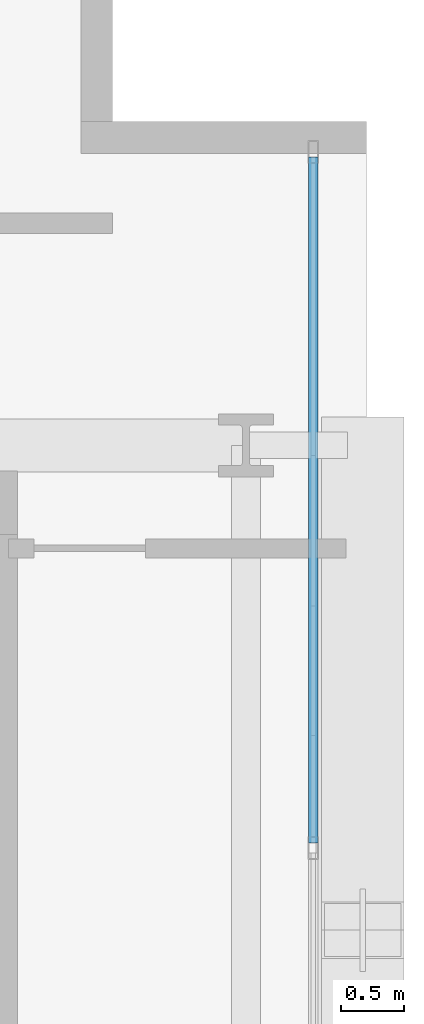
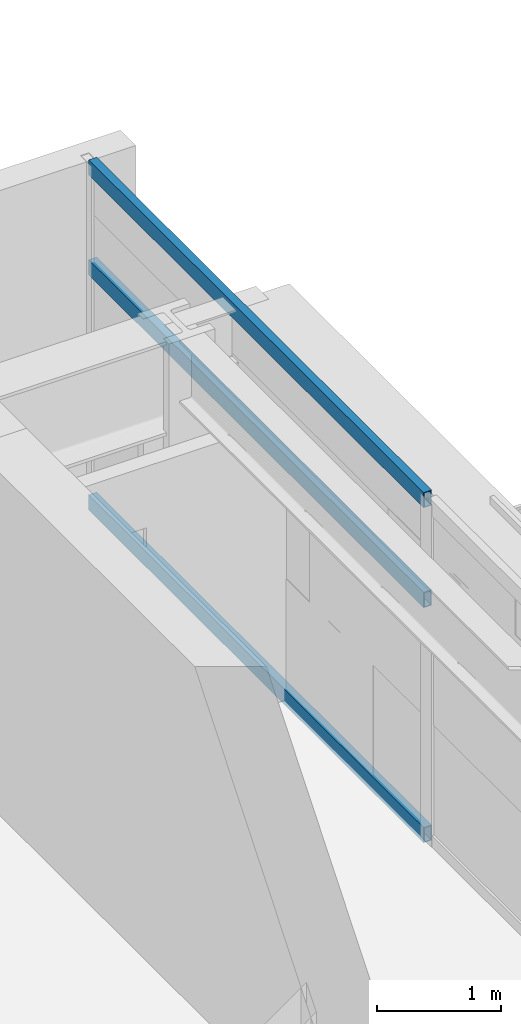
# One storey, part 15 of 30: 3 members, 1 element without a shape of its own.
"""IFC4 building model written with IfcOpenShell, lengths in metres."""

from ifc_helpers import new_model, si_unit, direction, frame, origin, origin_2d, place, context, subcontext, project, spatial, hollow_rectangle, extrude, source, transform, mapped, material, layer, layer_set, material_profile, profile_set, type_object, element, aggregate, save


model = new_model("IFC4")

# Units and contexts
model_context = context("Model", 3, precision=1e-05, world=origin(), true_north=direction((0.0, 1.0)))
body_context = subcontext(model_context, "Body", "Model", "MODEL_VIEW")
ifc_project = project(units=[si_unit("LENGTHUNIT", "METRE"), si_unit("AREAUNIT", "SQUARE_METRE"), si_unit("VOLUMEUNIT", "CUBIC_METRE"), si_unit("PLANEANGLEUNIT", "RADIAN"), si_unit("MASSUNIT", "GRAM", prefix="KILO")], contexts=[model_context])

# Site, building, storey
site_placement = place(None, origin())
site = spatial("IfcSite", under=ifc_project, at=site_placement, CompositionType="ELEMENT")
building_placement = place(site_placement, origin())
building = spatial("IfcBuilding", under=site, at=building_placement, Name="Ocotamira Hotel", CompositionType="ELEMENT")
storey_placement = place(building_placement, frame((0.0, 0.0, 195.60009765625)))
storey = spatial("IfcBuildingStorey", under=building, at=storey_placement, Name="L49", CompositionType="ELEMENT", Elevation=195.60009765625)

# Curtain wall, members
ifc_material_1 = material(Name="Anodised pale-metal aluminium and solar glass", Category="aluminium")
ifc_layer = layer(ifc_material_1, 0.199951171875)
ifc_layer_set = layer_set([ifc_layer], Name="Anodised pale-metal aluminium and solar glass")
curtain_wall_type = type_object("IfcCurtainWallType", Name="CW-SYS4-Z3", PredefinedType="NOTDEFINED", material=ifc_layer_set)
curtain_wall_placement = place(storey_placement, origin())
curtain_wall = element("IfcCurtainWall", 1, at=curtain_wall_placement, inside=storey, type_object=curtain_wall_type, Name="L49 Curtain Wall CW-4 CW-L49-E", PredefinedType="NOTDEFINED")
ifc_material_2 = material(Name="Anodised pale-metal aluminium 6063-T6", Category="aluminium")
ifc_material_profile = material_profile(ifc_material_2, hollow_rectangle(XDim=0.074951171875, YDim=0.14990234375, WallThickness=0.006103515625, at=origin_2d()), Name="HSS150X75X6")
ifc_profile_set = profile_set([ifc_material_profile], Name="Anodised pale-metal aluminium 6063-T6")
member_type = type_object("IfcMemberType", Name="CWT-150X75", PredefinedType="USERDEFINED", material=ifc_profile_set)
shared_shape = source(origin(), body_context, "Body", "SweptSolid", [
    extrude(hollow_rectangle(XDim=0.074951171875, YDim=0.14990234375, WallThickness=0.006103515625, at=origin_2d()), origin(), (0.0, 0.0, 1.0), 5.39990234375),
])
member_1_placement = place(storey_placement, frame((55.580078125, 34.320068359375, 0.037353515625), z_axis=(0.0, 1.0, 0.0), x_axis=(-1.0, 0.0, 0.0)))
member_1 = element("IfcMember", 2, at=member_1_placement, type_object=member_type, Name="CW-4 transom 5.1", ObjectType="TRANSOM", PredefinedType="USERDEFINED", context=body_context, shape_type="MappedRepresentation", body=[
    mapped(shared_shape, transform((0.0, 0.0, 0.0), scale=1.0)),
])
member_2_placement = place(storey_placement, frame((55.580078125, 34.320068359375, 2.349853515625), z_axis=(0.0, 1.0, 0.0), x_axis=(-1.0, 0.0, 0.0)))
member_2 = element("IfcMember", 3, at=member_2_placement, type_object=member_type, Name="CW-4 transom 5.2", ObjectType="TRANSOM", PredefinedType="USERDEFINED", context=body_context, shape_type="MappedRepresentation", body=[
    mapped(shared_shape, transform((0.0, 0.0, 0.0), scale=1.0)),
])
member_3_placement = place(storey_placement, frame((55.580078125, 34.320068359375, 3.33251953125), z_axis=(0.0, 1.0, 0.0), x_axis=(-1.0, 0.0, 0.0)))
member_3 = element("IfcMember", 4, at=member_3_placement, type_object=member_type, Name="CW-4 transom 5.3", ObjectType="TRANSOM", PredefinedType="USERDEFINED", context=body_context, shape_type="MappedRepresentation", body=[
    mapped(shared_shape, transform((0.0, 0.0, 0.0), scale=1.0)),
])
aggregate(curtain_wall, [member_1, member_2, member_3])

save(model, "model.ifc")
